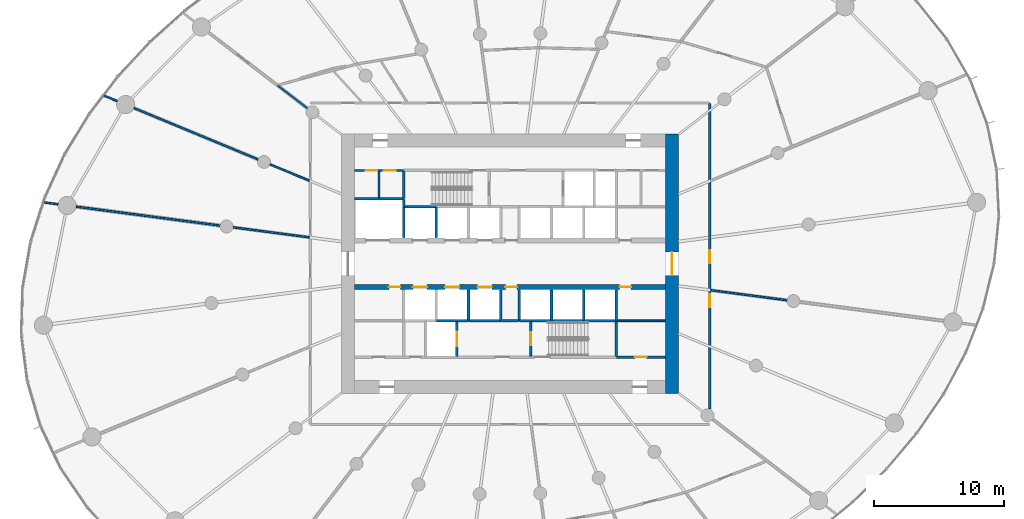
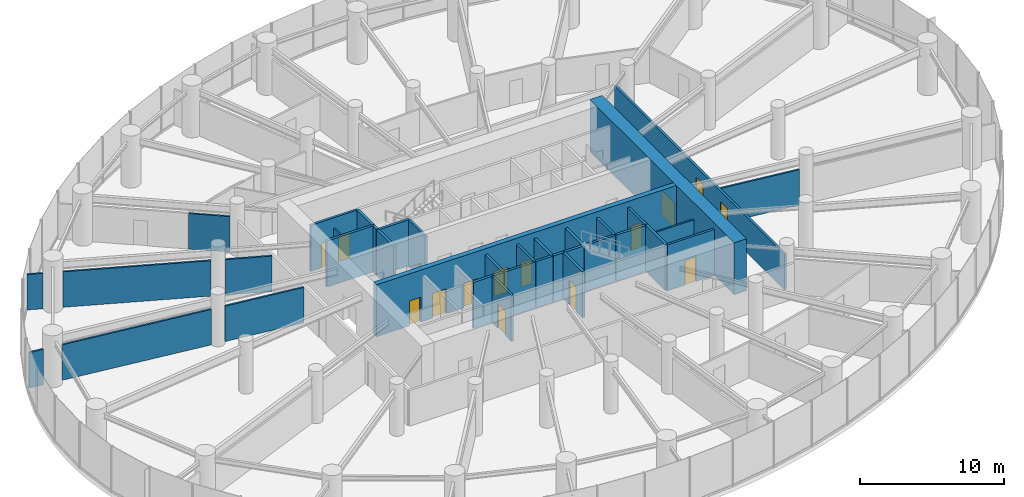
# One storey, part 12 of 18: 38 walls, 14 doors, 14 openings.
"""IFC4 building model written with IfcOpenShell, lengths in metres."""

from ifc_helpers import new_model, si_unit, direction, frame, frame_2d, origin, place, context, subcontext, project, spatial, rectangle, extrude, source, transform, mapped, material, layer, layer_set, type_object, element, fill, save


model = new_model("IFC4")

# Units and contexts
model_context = context("Model", 3, precision=1e-05, world=origin(), true_north=direction((0.0, 1.0)))
body_context = subcontext(model_context, "Body", "Model", "MODEL_VIEW")
ifc_project = project(units=[si_unit("LENGTHUNIT", "METRE"), si_unit("AREAUNIT", "SQUARE_METRE"), si_unit("VOLUMEUNIT", "CUBIC_METRE"), si_unit("PLANEANGLEUNIT", "RADIAN"), si_unit("MASSUNIT", "GRAM", prefix="KILO")], contexts=[model_context])

# Site, building, storey
site_placement = place(None, origin())
site = spatial("IfcSite", under=ifc_project, at=site_placement, CompositionType="ELEMENT")
building_placement = place(site_placement, origin())
building = spatial("IfcBuilding", under=site, at=building_placement, Name="Spindrift Exchange Tower", CompositionType="ELEMENT")
storey_placement = place(building_placement, frame((0.0, 0.0, 71.0)))
storey = spatial("IfcBuildingStorey", under=building, at=storey_placement, Name="L16", CompositionType="ELEMENT", Elevation=71.0)

# Wall, opening, door
ifc_material_1 = material(Name="Concrete 80 MPa", Category="concrete")
ifc_layer_1 = layer(ifc_material_1, 1.0)
ifc_layer_set_1 = layer_set([ifc_layer_1], Name="RC Core Wall 1000 Concrete 80 MPa")
wall_type_1 = type_object("IfcWallType", Name="RC Core Wall 1000 Concrete 80 MPa", PredefinedType="SHEAR", material=ifc_layer_set_1)
wall_1_placement = place(storey_placement, frame((64.5, 38.0, 0.0), z_axis=(0.0, 0.0, 1.0), x_axis=(0.0, 1.0, 0.0)))
wall_1 = element("IfcWall", 1, at=wall_1_placement, inside=storey, type_object=wall_type_1, Name="Core wall E L16", PredefinedType="SHEAR", context=body_context, shape_type="SweptSolid", body=[
    extrude(rectangle(XDim=20.0, YDim=1.0, at=frame_2d((10.0, 0.0))), origin(), (0.0, 0.0, 1.0), 4.39990234375),
])
opening_1_placement = place(wall_1_placement, frame((9.10009765625, 0.0, 0.0)))
opening_1 = element("IfcOpeningElement", 2, at=opening_1_placement, cuts=wall_1, Name="Opening L16-D2", PredefinedType="OPENING", context=body_context, shape_type="SweptSolid", body=[
    extrude(rectangle(XDim=1.800048828125, YDim=2.10009765625, at=frame_2d((0.89990234375, 1.050048828125))), frame((0.0, 0.510009765625, 0.0), z_axis=(0.0, -1.0, 0.0), x_axis=(1.0, 0.0, 0.0)), (0.0, 0.0, 1.0), 1.02001953125),
])
ifc_material_2 = material(Name="Timber-core fire door", Category="wood")
door_type_1 = type_object("IfcDoorType", Name="DR-LOBBY-1800", OperationType="NOTDEFINED", PredefinedType="DOOR", material=ifc_material_2)
shared_shape_1 = source(origin(), body_context, "Body", "SweptSolid", [
    extrude(rectangle(XDim=1.800048828125, YDim=2.10009765625, at=frame_2d((0.89990234375, 1.050048828125))), frame((0.0, 0.02490234375, 0.0), z_axis=(0.0, -1.0, 0.0), x_axis=(1.0, 0.0, 0.0)), (0.0, 0.0, 1.0), 0.050048828125),
])
door_1_placement = place(opening_1_placement, origin())
door_1 = element("IfcDoor", 3, at=door_1_placement, inside=storey, type_object=door_type_1, Name="L16 Lobby door 2", OperationType="SINGLE_SWING_RIGHT", OverallHeight=2.10009765625, OverallWidth=1.800048828125, PredefinedType="DOOR", context=body_context, shape_type="MappedRepresentation", body=[
    mapped(shared_shape_1, transform((0.0, 0.0, 0.0), scale=1.0)),
])
fill(opening_1, door_1)

# Wall, openings, doors
ifc_layer_2 = layer(ifc_material_1, 0.39990234375)
ifc_layer_set_2 = layer_set([ifc_layer_2], Name="RC Spine Wall 400 Concrete 80 MPa")
wall_type_2 = type_object("IfcWallType", Name="RC Spine Wall 400 Concrete 80 MPa", PredefinedType="SHEAR", material=ifc_layer_set_2)
wall_2_placement = place(storey_placement, frame((40.0, 46.199951171875, 0.0), z_axis=(0.0, 0.0, 1.0), x_axis=(1.0, 0.0, 0.0)))
wall_2 = element("IfcWall", 4, at=wall_2_placement, inside=storey, type_object=wall_type_2, Name="Core spine wall S L16", PredefinedType="SHEAR", context=body_context, shape_type="SweptSolid", body=[
    extrude(rectangle(XDim=24.0, YDim=0.39990234375, at=frame_2d((12.0, 0.0))), origin(), (0.0, 0.0, 1.0), 4.39990234375),
])
opening_2_placement = place(wall_2_placement, frame((4.5, 0.0, 0.0)))
opening_2 = element("IfcOpeningElement", 5, at=opening_2_placement, cuts=wall_2, Name="Opening L16-D6", PredefinedType="OPENING", context=body_context, shape_type="SweptSolid", body=[
    extrude(rectangle(XDim=1.10009765625, YDim=2.10009765625, at=frame_2d((0.550048828125, 1.050048828125))), frame((0.0, 0.2099609375, 0.0), z_axis=(0.0, -1.0, 0.0), x_axis=(1.0, 0.0, 0.0)), (0.0, 0.0, 1.0), 0.419921875),
])
opening_3_placement = place(wall_2_placement, frame((7.0, 0.0, 0.0)))
opening_3 = element("IfcOpeningElement", 6, at=opening_3_placement, cuts=wall_2, Name="Opening L16-D7", PredefinedType="OPENING", context=body_context, shape_type="SweptSolid", body=[
    extrude(rectangle(XDim=1.10009765625, YDim=2.10009765625, at=frame_2d((0.550048828125, 1.050048828125))), frame((0.0, 0.2099609375, 0.0), z_axis=(0.0, -1.0, 0.0), x_axis=(1.0, 0.0, 0.0)), (0.0, 0.0, 1.0), 0.419921875),
])
opening_4_placement = place(wall_2_placement, frame((9.5, 0.0, 0.0)))
opening_4 = element("IfcOpeningElement", 7, at=opening_4_placement, cuts=wall_2, Name="Opening L16-D8", PredefinedType="OPENING", context=body_context, shape_type="SweptSolid", body=[
    extrude(rectangle(XDim=1.10009765625, YDim=2.10009765625, at=frame_2d((0.550048828125, 1.050048828125))), frame((0.0, 0.2099609375, 0.0), z_axis=(0.0, -1.0, 0.0), x_axis=(1.0, 0.0, 0.0)), (0.0, 0.0, 1.0), 0.419921875),
])
opening_5_placement = place(wall_2_placement, frame((20.449951171875, 0.0, 0.0)))
opening_5 = element("IfcOpeningElement", 8, at=opening_5_placement, cuts=wall_2, Name="Opening L16-D50", PredefinedType="OPENING", context=body_context, shape_type="SweptSolid", body=[
    extrude(rectangle(XDim=0.89990234375, YDim=2.10009765625, at=frame_2d((0.449951171875, 1.050048828125))), frame((0.0, 0.2099609375, 0.0), z_axis=(0.0, -1.0, 0.0), x_axis=(1.0, 0.0, 0.0)), (0.0, 0.0, 1.0), 0.419921875),
])
opening_6_placement = place(wall_2_placement, frame((2.64990234375, 0.0, 0.0)))
opening_6 = element("IfcOpeningElement", 9, at=opening_6_placement, cuts=wall_2, Name="Opening L16-D55", PredefinedType="OPENING", context=body_context, shape_type="SweptSolid", body=[
    extrude(rectangle(XDim=0.89990234375, YDim=2.10009765625, at=frame_2d((0.449951171875, 1.050048828125))), frame((0.0, 0.2099609375, 0.0), z_axis=(0.0, -1.0, 0.0), x_axis=(1.0, 0.0, 0.0)), (0.0, 0.0, 1.0), 0.419921875),
])
opening_7_placement = place(wall_2_placement, frame((11.64990234375, 0.0, 0.0)))
opening_7 = element("IfcOpeningElement", 10, at=opening_7_placement, cuts=wall_2, Name="Opening L16-D57", PredefinedType="OPENING", context=body_context, shape_type="SweptSolid", body=[
    extrude(rectangle(XDim=0.89990234375, YDim=2.10009765625, at=frame_2d((0.449951171875, 1.050048828125))), frame((0.0, 0.2099609375, 0.0), z_axis=(0.0, -1.0, 0.0), x_axis=(1.0, 0.0, 0.0)), (0.0, 0.0, 1.0), 0.419921875),
])
ifc_material_3 = material(Name="Stainless steel landing door", Category="steel")
door_type_2 = type_object("IfcDoorType", Name="DR-LANDING-1100-SL", OperationType="DOUBLE_DOOR_SLIDING", PredefinedType="USERDEFINED", material=ifc_material_3)
shared_shape_2 = source(origin(), body_context, "Body", "SweptSolid", [
    extrude(rectangle(XDim=1.10009765625, YDim=2.10009765625, at=frame_2d((0.550048828125, 1.050048828125))), frame((0.0, 0.02490234375, 0.0), z_axis=(0.0, -1.0, 0.0), x_axis=(1.0, 0.0, 0.0)), (0.0, 0.0, 1.0), 0.050048828125),
])
door_2_placement = place(opening_2_placement, origin())
door_2 = element("IfcDoor", 11, at=door_2_placement, inside=storey, type_object=door_type_2, Name="L16 Lift landing door 6", ObjectType="LANDING DOOR", OperationType="DOUBLE_DOOR_SLIDING", OverallHeight=2.10009765625, OverallWidth=1.10009765625, PredefinedType="USERDEFINED", context=body_context, shape_type="MappedRepresentation", body=[
    mapped(shared_shape_2, transform((0.0, 0.0, 0.0), scale=1.0)),
])
fill(opening_2, door_2)
door_3_placement = place(opening_3_placement, origin())
door_3 = element("IfcDoor", 12, at=door_3_placement, inside=storey, type_object=door_type_2, Name="L16 Lift landing door 7", ObjectType="LANDING DOOR", OperationType="DOUBLE_DOOR_SLIDING", OverallHeight=2.10009765625, OverallWidth=1.10009765625, PredefinedType="USERDEFINED", context=body_context, shape_type="MappedRepresentation", body=[
    mapped(shared_shape_2, transform((0.0, 0.0, 0.0), scale=1.0)),
])
fill(opening_3, door_3)
door_4_placement = place(opening_4_placement, origin())
door_4 = element("IfcDoor", 13, at=door_4_placement, inside=storey, type_object=door_type_2, Name="L16 Lift landing door 8", ObjectType="LANDING DOOR", OperationType="DOUBLE_DOOR_SLIDING", OverallHeight=2.10009765625, OverallWidth=1.10009765625, PredefinedType="USERDEFINED", context=body_context, shape_type="MappedRepresentation", body=[
    mapped(shared_shape_2, transform((0.0, 0.0, 0.0), scale=1.0)),
])
fill(opening_4, door_4)
ifc_material_4 = material(Name="Steel access door", Category="steel")
door_type_3 = type_object("IfcDoorType", Name="DR-RISER-900", OperationType="NOTDEFINED", PredefinedType="DOOR", material=ifc_material_4)
shared_shape_3 = source(origin(), body_context, "Body", "SweptSolid", [
    extrude(rectangle(XDim=0.89990234375, YDim=2.10009765625, at=frame_2d((0.449951171875, 1.050048828125))), frame((0.0, 0.02490234375, 0.0), z_axis=(0.0, -1.0, 0.0), x_axis=(1.0, 0.0, 0.0)), (0.0, 0.0, 1.0), 0.050048828125),
])
door_5_placement = place(opening_5_placement, origin())
door_5 = element("IfcDoor", 14, at=door_5_placement, inside=storey, type_object=door_type_3, Name="L16 Riser door 50", OperationType="SINGLE_SWING_RIGHT", OverallHeight=2.10009765625, OverallWidth=0.89990234375, PredefinedType="DOOR", context=body_context, shape_type="MappedRepresentation", body=[
    mapped(shared_shape_3, transform((0.0, 0.0, 0.0), scale=1.0)),
])
fill(opening_5, door_5)
door_6_placement = place(opening_6_placement, origin())
door_6 = element("IfcDoor", 15, at=door_6_placement, inside=storey, type_object=door_type_3, Name="L16 Riser door 55", OperationType="SINGLE_SWING_LEFT", OverallHeight=2.10009765625, OverallWidth=0.89990234375, PredefinedType="DOOR", context=body_context, shape_type="MappedRepresentation", body=[
    mapped(shared_shape_3, transform((0.0, 0.0, 0.0), scale=1.0)),
])
fill(opening_6, door_6)
door_7_placement = place(opening_7_placement, origin())
door_7 = element("IfcDoor", 16, at=door_7_placement, inside=storey, type_object=door_type_3, Name="L16 Riser door 57", OperationType="SINGLE_SWING_LEFT", OverallHeight=2.10009765625, OverallWidth=0.89990234375, PredefinedType="DOOR", context=body_context, shape_type="MappedRepresentation", body=[
    mapped(shared_shape_3, transform((0.0, 0.0, 0.0), scale=1.0)),
])
fill(opening_7, door_7)

ifc_material_5 = material(Name="Fire-rated plasterboard partition", Category="gypsum")
ifc_layer_3 = layer(ifc_material_5, 0.179931640625)
ifc_layer_set_3 = layer_set([ifc_layer_3], Name="W-CORR-180")
wall_type_3 = type_object("IfcWallType", Name="W-CORR-180", PredefinedType="PARTITIONING", material=ifc_layer_set_3)
wall_3_placement = place(storey_placement, frame((43.77001953125, 55.199951171875, 0.0), z_axis=(0.0, 0.0, 1.0), x_axis=(-1.0, 0.0, 0.0)))
wall_3 = element("IfcWall", 17, at=wall_3_placement, inside=storey, type_object=wall_type_3, Name="L16 Partition wall 62", PredefinedType="PARTITIONING", context=body_context, shape_type="SweptSolid", body=[
    extrude(rectangle(XDim=3.75, YDim=0.179931640625, at=frame_2d((1.875, 0.0))), origin(), (0.0, 0.0, 1.0), 3.89990234375),
])
opening_8_placement = place(wall_3_placement, frame((2.0, 0.0, 0.0)))
opening_8 = element("IfcOpeningElement", 18, at=opening_8_placement, cuts=wall_3, Name="Opening L16-D47", PredefinedType="OPENING", context=body_context, shape_type="SweptSolid", body=[
    extrude(rectangle(XDim=0.89990234375, YDim=2.10009765625, at=frame_2d((0.449951171875, 1.050048828125))), frame((0.0, 0.099853515625, 0.0), z_axis=(0.0, -1.0, 0.0), x_axis=(1.0, 0.0, 0.0)), (0.0, 0.0, 1.0), 0.199951171875),
])
opening_9_placement = place(wall_3_placement, frame((0.60009765625, 0.0, 0.0)))
opening_9 = element("IfcOpeningElement", 19, at=opening_9_placement, cuts=wall_3, Name="Opening L16-D48", PredefinedType="OPENING", context=body_context, shape_type="SweptSolid", body=[
    extrude(rectangle(XDim=0.89990234375, YDim=2.10009765625, at=frame_2d((0.449951171875, 1.050048828125))), frame((0.0, 0.099853515625, 0.0), z_axis=(0.0, -1.0, 0.0), x_axis=(1.0, 0.0, 0.0)), (0.0, 0.0, 1.0), 0.199951171875),
])
door_8_placement = place(opening_8_placement, origin())
door_8 = element("IfcDoor", 20, at=door_8_placement, inside=storey, type_object=door_type_3, Name="L16 Riser door 47", OperationType="SINGLE_SWING_LEFT", OverallHeight=2.10009765625, OverallWidth=0.89990234375, PredefinedType="DOOR", context=body_context, shape_type="MappedRepresentation", body=[
    mapped(shared_shape_3, transform((0.0, 0.0, 0.0), scale=1.0)),
])
fill(opening_8, door_8)
door_9_placement = place(opening_9_placement, origin())
door_9 = element("IfcDoor", 21, at=door_9_placement, inside=storey, type_object=door_type_3, Name="L16 Riser door 48", OperationType="SINGLE_SWING_RIGHT", OverallHeight=2.10009765625, OverallWidth=0.89990234375, PredefinedType="DOOR", context=body_context, shape_type="MappedRepresentation", body=[
    mapped(shared_shape_3, transform((0.0, 0.0, 0.0), scale=1.0)),
])
fill(opening_9, door_9)

# Wall, opening, door
wall_4_placement = place(storey_placement, frame((60.22998046875, 40.800048828125, 0.0), z_axis=(0.0, 0.0, 1.0), x_axis=(1.0, 0.0, 0.0)))
wall_4 = element("IfcWall", 22, at=wall_4_placement, inside=storey, type_object=wall_type_3, Name="L16 Partition wall 63", PredefinedType="PARTITIONING", context=body_context, shape_type="SweptSolid", body=[
    extrude(rectangle(XDim=3.75, YDim=0.179931640625, at=frame_2d((1.875, 0.0))), origin(), (0.0, 0.0, 1.0), 3.89990234375),
])
opening_10_placement = place(wall_4_placement, frame((1.39990234375, 0.0, 0.0)))
opening_10 = element("IfcOpeningElement", 23, at=opening_10_placement, cuts=wall_4, Name="Opening L16-D54", PredefinedType="OPENING", context=body_context, shape_type="SweptSolid", body=[
    extrude(rectangle(XDim=0.89990234375, YDim=2.10009765625, at=frame_2d((0.449951171875, 1.050048828125))), frame((0.0, 0.099853515625, 0.0), z_axis=(0.0, -1.0, 0.0), x_axis=(1.0, 0.0, 0.0)), (0.0, 0.0, 1.0), 0.199951171875),
])
door_10_placement = place(opening_10_placement, origin())
door_10 = element("IfcDoor", 24, at=door_10_placement, inside=storey, type_object=door_type_3, Name="L16 Riser door 54", OperationType="SINGLE_SWING_RIGHT", OverallHeight=2.10009765625, OverallWidth=0.89990234375, PredefinedType="DOOR", context=body_context, shape_type="MappedRepresentation", body=[
    mapped(shared_shape_3, transform((0.0, 0.0, 0.0), scale=1.0)),
])
fill(opening_10, door_10)

# Walls
ifc_layer_4 = layer(ifc_material_5, 0.139892578125)
ifc_layer_set_4 = layer_set([ifc_layer_4], Name="W-PART-140")
wall_type_4 = type_object("IfcWallType", Name="W-PART-140", PredefinedType="PARTITIONING", material=ifc_layer_set_4)
wall_5_placement = place(storey_placement, frame((29.63671875, 50.944091796875, 0.0), z_axis=(0.0, 0.0, 1.0), x_axis=(-0.991443306772, 0.130538000051, 0.0)))
element("IfcWall", 25, at=wall_5_placement, inside=storey, type_object=wall_type_4, Name="L16 Partition wall 67", PredefinedType="PARTITIONING", context=body_context, shape_type="SweptSolid", body=[
    extrude(rectangle(XDim=11.1953125, YDim=0.139892578125, at=frame_2d((5.59765625, 0.0))), origin(), (0.0, 0.0, 1.0), 3.0),
])
for number, where, z_axis, x_axis, name in (
    (26, (67.489990234375, 45.960693359375, 0.0), (0.0, 0.0, 1.0), (0.991445034615, -0.130524876315, 0.0), "L16 Partition wall 83"),
    (27, (36.510009765625, 50.039306640625, 0.0), (0.0, 0.0, 1.0), (-0.991445034615, 0.130524876315, 0.0), "L16 Partition wall 84"),
):
    element("IfcWall", number, at=place(storey_placement, frame(where, z_axis=z_axis, x_axis=x_axis)), inside=storey, type_object=wall_type_4, Name=name, PredefinedType="PARTITIONING", context=body_context, shape_type="SweptSolid", body=[
        extrude(rectangle(XDim=5.923828125, YDim=0.139892578125, at=frame_2d((2.9619140625, 0.0))), origin(), (0.0, 0.0, 1.0), 3.0),
    ])
wall_6_placement = place(storey_placement, frame((60.22998046875, 43.60009765625, 0.0), z_axis=(0.0, 0.0, 1.0), x_axis=(1.0, 0.0, 0.0)))
element("IfcWall", 28, at=wall_6_placement, inside=storey, type_object=wall_type_4, Name="L16 Partition wall 101", PredefinedType="PARTITIONING", context=body_context, shape_type="SweptSolid", body=[
    extrude(rectangle(XDim=3.75, YDim=0.139892578125, at=frame_2d((1.875, 0.0))), origin(), (0.0, 0.0, 1.0), 3.0),
])
wall_7_placement = place(storey_placement, frame((41.89990234375, 53.10009765625, 0.0), z_axis=(0.0, 0.0, 1.0), x_axis=(0.0, 1.0, 0.0)))
element("IfcWall", 29, at=wall_7_placement, inside=storey, type_object=wall_type_4, Name="L16 Partition wall 113", PredefinedType="PARTITIONING", context=body_context, shape_type="SweptSolid", body=[
    extrude(rectangle(XDim=2.010009765625, YDim=0.139892578125, at=frame_2d((1.0048828125, 0.0))), origin(), (0.0, 0.0, 1.0), 3.0),
])
wall_8_placement = place(storey_placement, frame((17.140625, 52.58935546875, 0.0), z_axis=(0.0, 0.0, 1.0), x_axis=(-0.991441129852, 0.130554532814, 0.0)))
element("IfcWall", 30, at=wall_8_placement, inside=storey, type_object=wall_type_4, Name="L16 Partition wall 117", PredefinedType="PARTITIONING", context=body_context, shape_type="SweptSolid", body=[
    extrude(rectangle(XDim=1.073486328125, YDim=0.139892578125, at=frame_2d((0.53662109375, 0.0))), origin(), (0.0, 0.0, 1.0), 3.0),
])
ifc_layer_5 = layer(ifc_material_5, 0.139892578125)
ifc_layer_set_5 = layer_set([ifc_layer_5], Name="W-PLANT-140")
wall_type_5 = type_object("IfcWallType", Name="W-PLANT-140", PredefinedType="PARTITIONING", material=ifc_layer_set_5)
wall_9_placement = place(storey_placement, frame((32.560791015625, 56.052001953125, 0.0), z_axis=(0.0, 0.0, 1.0), x_axis=(-0.923874685699, 0.382695133396, 0.0)))
element("IfcWall", 31, at=wall_9_placement, inside=storey, type_object=wall_type_5, Name="L16 Partition wall 69", PredefinedType="PARTITIONING", context=body_context, shape_type="SweptSolid", body=[
    extrude(rectangle(XDim=10.341064453125, YDim=0.139892578125, at=frame_2d((5.17041015625, 0.0))), origin(), (0.0, 0.0, 1.0), 3.0),
])
wall_10_placement = place(storey_placement, frame((36.510009765625, 54.416259765625, 0.0), z_axis=(0.0, 0.0, 1.0), x_axis=(-0.923911109142, 0.382607190737, 0.0)))
element("IfcWall", 32, at=wall_10_placement, inside=storey, type_object=wall_type_5, Name="L16 Partition wall 103", PredefinedType="PARTITIONING", context=body_context, shape_type="SweptSolid", body=[
    extrude(rectangle(XDim=3.264404296875, YDim=0.139892578125, at=frame_2d((1.63232421875, 0.0))), origin(), (0.0, 0.0, 1.0), 3.0),
])
wall_11_placement = place(storey_placement, frame((36.367431640625, 59.995361328125, 0.0), z_axis=(0.0, 0.0, 1.0), x_axis=(-0.793375175499, 0.608732971755, 0.0)))
element("IfcWall", 33, at=wall_11_placement, inside=storey, type_object=wall_type_5, Name="L16 Partition wall 108", PredefinedType="PARTITIONING", context=body_context, shape_type="SweptSolid", body=[
    extrude(rectangle(XDim=2.873291015625, YDim=0.139892578125, at=frame_2d((1.4365234375, 0.0))), origin(), (0.0, 0.0, 1.0), 3.0),
])
wall_12_placement = place(storey_placement, frame((21.7041015625, 60.549072265625, 0.0), z_axis=(0.0, 0.0, 1.0), x_axis=(-0.923891962865, 0.382653421457, 0.0)))
element("IfcWall", 34, at=wall_12_placement, inside=storey, type_object=wall_type_5, Name="L16 Partition wall 116", PredefinedType="PARTITIONING", context=body_context, shape_type="SweptSolid", body=[
    extrude(rectangle(XDim=1.09619140625, YDim=0.139892578125, at=frame_2d((0.548095703125, 0.0))), origin(), (0.0, 0.0, 1.0), 3.0),
])

# Wall, openings, doors
ifc_layer_6 = layer(ifc_material_5, 0.179931640625)
ifc_layer_set_6 = layer_set([ifc_layer_6], Name="W-PLANT-180")
wall_type_6 = type_object("IfcWallType", Name="W-PLANT-180", PredefinedType="PARTITIONING", material=ifc_layer_set_6)
wall_13_placement = place(storey_placement, frame((67.39990234375, 60.3701171875, 0.0), z_axis=(0.0, 0.0, 1.0), x_axis=(0.0, -1.0, 0.0)))
wall_13 = element("IfcWall", 35, at=wall_13_placement, inside=storey, type_object=wall_type_6, Name="L16 Partition wall 59", PredefinedType="PARTITIONING", context=body_context, shape_type="SweptSolid", body=[
    extrude(rectangle(XDim=23.58251953125, YDim=0.179931640625, at=frame_2d((11.791259765625, 0.0))), origin(), (0.0, 0.0, 1.0), 3.0),
])
opening_11_placement = place(wall_13_placement, frame((14.732421875, 0.0, 0.0)))
opening_11 = element("IfcOpeningElement", 36, at=opening_11_placement, cuts=wall_13, Name="Opening L16-D37", PredefinedType="OPENING", context=body_context, shape_type="SweptSolid", body=[
    extrude(rectangle(XDim=1.0, YDim=2.10009765625, at=frame_2d((0.5, 1.050048828125))), frame((0.0, 0.099853515625, 0.0), z_axis=(0.0, -1.0, 0.0), x_axis=(1.0, 0.0, 0.0)), (0.0, 0.0, 1.0), 0.199951171875),
])
opening_12_placement = place(wall_13_placement, frame((11.33251953125, 0.0, 0.0)))
opening_12 = element("IfcOpeningElement", 37, at=opening_12_placement, cuts=wall_13, Name="Opening L16-D38", PredefinedType="OPENING", context=body_context, shape_type="SweptSolid", body=[
    extrude(rectangle(XDim=1.0, YDim=2.10009765625, at=frame_2d((0.5, 1.050048828125))), frame((0.0, 0.099853515625, 0.0), z_axis=(0.0, -1.0, 0.0), x_axis=(1.0, 0.0, 0.0)), (0.0, 0.0, 1.0), 0.199951171875),
])
door_type_4 = type_object("IfcDoorType", Name="DR-ROOM-1000", OperationType="NOTDEFINED", PredefinedType="DOOR", material=ifc_material_2)
shared_shape_4 = source(origin(), body_context, "Body", "SweptSolid", [
    extrude(rectangle(XDim=1.0, YDim=2.10009765625, at=frame_2d((0.5, 1.050048828125))), frame((0.0, 0.02490234375, 0.0), z_axis=(0.0, -1.0, 0.0), x_axis=(1.0, 0.0, 0.0)), (0.0, 0.0, 1.0), 0.050048828125),
])
door_11_placement = place(opening_11_placement, origin())
door_11 = element("IfcDoor", 38, at=door_11_placement, inside=storey, type_object=door_type_4, Name="L16 Door 37", OperationType="SINGLE_SWING_LEFT", OverallHeight=2.10009765625, OverallWidth=1.0, PredefinedType="DOOR", context=body_context, shape_type="MappedRepresentation", body=[
    mapped(shared_shape_4, transform((0.0, 0.0, 0.0), scale=1.0)),
])
fill(opening_11, door_11)
door_12_placement = place(opening_12_placement, origin())
door_12 = element("IfcDoor", 39, at=door_12_placement, inside=storey, type_object=door_type_4, Name="L16 Door 38", OperationType="SINGLE_SWING_RIGHT", OverallHeight=2.10009765625, OverallWidth=1.0, PredefinedType="DOOR", context=body_context, shape_type="MappedRepresentation", body=[
    mapped(shared_shape_4, transform((0.0, 0.0, 0.0), scale=1.0)),
])
fill(opening_12, door_12)

# Wall, opening, door
ifc_material_6 = material(Name="Concrete 40 MPa", Category="concrete")
ifc_layer_7 = layer(ifc_material_6, 0.199951171875)
ifc_layer_set_7 = layer_set([ifc_layer_7], Name="W-SHAFT-200")
wall_type_7 = type_object("IfcWallType", Name="W-SHAFT-200", PredefinedType="SOLIDWALL", material=ifc_layer_set_7)
wall_14_placement = place(storey_placement, frame((47.89990234375, 40.830078125, 0.0), z_axis=(0.0, 0.0, 1.0), x_axis=(0.0, 1.0, 0.0)))
wall_14 = element("IfcWall", 40, at=wall_14_placement, inside=storey, type_object=wall_type_7, Name="L16 Shaft wall 8", PredefinedType="SOLIDWALL", context=body_context, shape_type="SweptSolid", body=[
    extrude(rectangle(XDim=2.77001953125, YDim=0.199951171875, at=frame_2d((1.385009765625, 0.0))), origin(), (0.0, 0.0, 1.0), 3.89990234375),
])
opening_13_placement = place(wall_14_placement, frame((0.820068359375, 0.0, 0.0)))
opening_13 = element("IfcOpeningElement", 41, at=opening_13_placement, cuts=wall_14, Name="Opening L16-D10", PredefinedType="OPENING", context=body_context, shape_type="SweptSolid", body=[
    extrude(rectangle(XDim=1.10009765625, YDim=2.10009765625, at=frame_2d((0.550048828125, 1.050048828125))), frame((0.0, 0.10986328125, 0.0), z_axis=(0.0, -1.0, 0.0), x_axis=(1.0, 0.0, 0.0)), (0.0, 0.0, 1.0), 0.219970703125),
])
door_13_placement = place(opening_13_placement, origin())
door_13 = element("IfcDoor", 42, at=door_13_placement, inside=storey, type_object=door_type_2, Name="L16 Lift landing door 10", ObjectType="LANDING DOOR", OperationType="DOUBLE_DOOR_SLIDING", OverallHeight=2.10009765625, OverallWidth=1.10009765625, PredefinedType="USERDEFINED", context=body_context, shape_type="MappedRepresentation", body=[
    mapped(shared_shape_2, transform((0.0, 0.0, 0.0), scale=1.0)),
])
fill(opening_13, door_13)

# Walls
wall_15_placement = place(storey_placement, frame((48.800048828125, 43.60009765625, 0.0), z_axis=(0.0, 0.0, 1.0), x_axis=(1.0, 0.0, 0.0)))
element("IfcWall", 43, at=wall_15_placement, inside=storey, type_object=wall_type_7, Name="L16 Shaft wall 17", PredefinedType="SOLIDWALL", context=body_context, shape_type="SweptSolid", body=[
    extrude(rectangle(XDim=2.5, YDim=0.199951171875, at=frame_2d((1.25, 0.0))), origin(), (0.0, 0.0, 1.0), 3.89990234375),
])
for number, where, z_axis, x_axis, name in (
    (44, (48.800048828125, 43.6298828125, 0.0), (0.0, 0.0, 1.0), (0.0, 1.0, 0.0), "L16 Shaft wall 27"),
    (45, (51.300048828125, 43.6298828125, 0.0), (0.0, 0.0, 1.0), (0.0, 1.0, 0.0), "L16 Shaft wall 29"),
):
    element("IfcWall", number, at=place(storey_placement, frame(where, z_axis=z_axis, x_axis=x_axis)), inside=storey, type_object=wall_type_7, Name=name, PredefinedType="SOLIDWALL", context=body_context, shape_type="SweptSolid", body=[
        extrude(rectangle(XDim=2.360107421875, YDim=0.199951171875, at=frame_2d((1.18017578125, 0.0))), origin(), (0.0, 0.0, 1.0), 3.89990234375),
    ])
wall_16_placement = place(storey_placement, frame((52.699951171875, 45.989990234375, 0.0), z_axis=(0.0, 0.0, 1.0), x_axis=(0.0, -1.0, 0.0)))
element("IfcWall", 46, at=wall_16_placement, inside=storey, type_object=wall_type_7, Name="L16 Shaft wall 31", PredefinedType="SOLIDWALL", context=body_context, shape_type="SweptSolid", body=[
    extrude(rectangle(XDim=2.389892578125, YDim=0.199951171875, at=frame_2d((1.19482421875, 0.0))), origin(), (0.0, 0.0, 1.0), 3.89990234375),
])
wall_17_placement = place(storey_placement, frame((46.330078125, 43.60009765625, 0.0), z_axis=(0.0, 0.0, 1.0), x_axis=(1.0, 0.0, 0.0)))
element("IfcWall", 47, at=wall_17_placement, inside=storey, type_object=wall_type_7, Name="L16 Shaft wall 44", PredefinedType="SOLIDWALL", context=body_context, shape_type="SweptSolid", body=[
    extrude(rectangle(XDim=1.5400390625, YDim=0.199951171875, at=frame_2d((0.77001953125, 0.0))), origin(), (0.0, 0.0, 1.0), 3.89990234375),
])
wall_18_placement = place(storey_placement, frame((52.669921875, 43.60009765625, 0.0), z_axis=(0.0, 0.0, 1.0), x_axis=(-1.0, 0.0, 0.0)))
element("IfcWall", 48, at=wall_18_placement, inside=storey, type_object=wall_type_7, Name="L16 Shaft wall 48", PredefinedType="SOLIDWALL", context=body_context, shape_type="SweptSolid", body=[
    extrude(rectangle(XDim=1.33984375, YDim=0.199951171875, at=frame_2d((0.669921875, 0.0))), origin(), (0.0, 0.0, 1.0), 3.89990234375),
])
wall_19_placement = place(storey_placement, frame((47.929931640625, 43.60009765625, 0.0), z_axis=(0.0, 0.0, 1.0), x_axis=(1.0, 0.0, 0.0)))
element("IfcWall", 49, at=wall_19_placement, inside=storey, type_object=wall_type_7, Name="L16 Shaft wall 50", PredefinedType="SOLIDWALL", context=body_context, shape_type="SweptSolid", body=[
    extrude(rectangle(XDim=0.840087890625, YDim=0.199951171875, at=frame_2d((0.419921875, 0.0))), origin(), (0.0, 0.0, 1.0), 3.89990234375),
])
ifc_layer_8 = layer(ifc_material_6, 0.199951171875)
ifc_layer_set_8 = layer_set([ifc_layer_8], Name="W-SHAFT-200-LB")
wall_type_8 = type_object("IfcWallType", Name="W-SHAFT-200-LB", PredefinedType="SOLIDWALL", material=ifc_layer_set_8)
wall_20_placement = place(storey_placement, frame((43.800048828125, 53.0, 0.0), z_axis=(0.0, 0.0, 1.0), x_axis=(-1.0, 0.0, 0.0)))
element("IfcWall", 50, at=wall_20_placement, inside=storey, type_object=wall_type_8, Name="L16 Shaft wall 5", PredefinedType="SOLIDWALL", context=body_context, shape_type="SweptSolid", body=[
    extrude(rectangle(XDim=3.780029296875, YDim=0.199951171875, at=frame_2d((1.89013671875, 0.0))), origin(), (0.0, 0.0, 1.0), 3.89990234375),
])
wall_21_placement = place(storey_placement, frame((60.199951171875, 40.830078125, 0.0), z_axis=(0.0, 0.0, 1.0), x_axis=(0.0, 1.0, 0.0)))
element("IfcWall", 51, at=wall_21_placement, inside=storey, type_object=wall_type_8, Name="L16 Shaft wall 10", PredefinedType="SOLIDWALL", context=body_context, shape_type="SweptSolid", body=[
    extrude(rectangle(XDim=2.77001953125, YDim=0.199951171875, at=frame_2d((1.385009765625, 0.0))), origin(), (0.0, 0.0, 1.0), 3.89990234375),
])

# Wall, opening, door
wall_22_placement = place(storey_placement, frame((53.60009765625, 43.60009765625, 0.0), z_axis=(0.0, 0.0, 1.0), x_axis=(0.0, -1.0, 0.0)))
wall_22 = element("IfcWall", 52, at=wall_22_placement, inside=storey, type_object=wall_type_8, Name="L16 Shaft wall 11", PredefinedType="SOLIDWALL", context=body_context, shape_type="SweptSolid", body=[
    extrude(rectangle(XDim=2.77001953125, YDim=0.199951171875, at=frame_2d((1.385009765625, 0.0))), origin(), (0.0, 0.0, 1.0), 3.89990234375),
])
opening_14_placement = place(wall_22_placement, frame((0.89990234375, 0.0, 0.0)))
opening_14 = element("IfcOpeningElement", 53, at=opening_14_placement, cuts=wall_22, Name="Opening L16-D17", PredefinedType="OPENING", context=body_context, shape_type="SweptSolid", body=[
    extrude(rectangle(XDim=1.0, YDim=2.10009765625, at=frame_2d((0.5, 1.050048828125))), frame((0.0, 0.10986328125, 0.0), z_axis=(0.0, -1.0, 0.0), x_axis=(1.0, 0.0, 0.0)), (0.0, 0.0, 1.0), 0.219970703125),
])
ifc_material_7 = material(Name="Steel fire door", Category="steel")
door_type_5 = type_object("IfcDoorType", Name="DR-STAIR-1000", OperationType="NOTDEFINED", PredefinedType="DOOR", material=ifc_material_7)
shared_shape_5 = source(origin(), body_context, "Body", "SweptSolid", [
    extrude(rectangle(XDim=1.0, YDim=2.10009765625, at=frame_2d((0.5, 1.050048828125))), frame((0.0, 0.02490234375, 0.0), z_axis=(0.0, -1.0, 0.0), x_axis=(1.0, 0.0, 0.0)), (0.0, 0.0, 1.0), 0.050048828125),
])
door_14_placement = place(opening_14_placement, origin())
door_14 = element("IfcDoor", 54, at=door_14_placement, inside=storey, type_object=door_type_5, Name="L16 Stair door 17", OperationType="SINGLE_SWING_LEFT", OverallHeight=2.10009765625, OverallWidth=1.0, PredefinedType="DOOR", context=body_context, shape_type="MappedRepresentation", body=[
    mapped(shared_shape_5, transform((0.0, 0.0, 0.0), scale=1.0)),
])
fill(opening_14, door_14)

# Walls
for number, where, z_axis, x_axis, name in (
    (55, (46.300048828125, 52.39990234375, 0.0), (0.0, 0.0, 1.0), (-1.0, 0.0, 0.0), "L16 Shaft wall 15"),
    (56, (55.199951171875, 43.60009765625, 0.0), (0.0, 0.0, 1.0), (1.0, 0.0, 0.0), "L16 Shaft wall 19"),
):
    element("IfcWall", number, at=place(storey_placement, frame(where, z_axis=z_axis, x_axis=x_axis)), inside=storey, type_object=wall_type_8, Name=name, PredefinedType="SOLIDWALL", context=body_context, shape_type="SweptSolid", body=[
        extrude(rectangle(XDim=2.5, YDim=0.199951171875, at=frame_2d((1.25, 0.0))), origin(), (0.0, 0.0, 1.0), 3.89990234375),
    ])
wall_23_placement = place(storey_placement, frame((57.72998046875, 43.60009765625, 0.0), z_axis=(0.0, 0.0, 1.0), x_axis=(1.0, 0.0, 0.0)))
element("IfcWall", 57, at=wall_23_placement, inside=storey, type_object=wall_type_8, Name="L16 Shaft wall 20", PredefinedType="SOLIDWALL", context=body_context, shape_type="SweptSolid", body=[
    extrude(rectangle(XDim=2.43994140625, YDim=0.199951171875, at=frame_2d((1.219970703125, 0.0))), origin(), (0.0, 0.0, 1.0), 3.89990234375),
])
for number, where, z_axis, x_axis, name in (
    (58, (43.800048828125, 52.3701171875, 0.0), (0.0, 0.0, 1.0), (0.0, -1.0, 0.0), "L16 Shaft wall 24"),
    (59, (46.300048828125, 50.010009765625, 0.0), (0.0, 0.0, 1.0), (0.0, 1.0, 0.0), "L16 Shaft wall 26"),
    (60, (55.199951171875, 43.6298828125, 0.0), (0.0, 0.0, 1.0), (0.0, 1.0, 0.0), "L16 Shaft wall 33"),
    (61, (57.699951171875, 43.6298828125, 0.0), (0.0, 0.0, 1.0), (0.0, 1.0, 0.0), "L16 Shaft wall 35"),
    (62, (60.199951171875, 43.6298828125, 0.0), (0.0, 0.0, 1.0), (0.0, 1.0, 0.0), "L16 Shaft wall 37"),
):
    element("IfcWall", number, at=place(storey_placement, frame(where, z_axis=z_axis, x_axis=x_axis)), inside=storey, type_object=wall_type_8, Name=name, PredefinedType="SOLIDWALL", context=body_context, shape_type="SweptSolid", body=[
        extrude(rectangle(XDim=2.360107421875, YDim=0.199951171875, at=frame_2d((1.18017578125, 0.0))), origin(), (0.0, 0.0, 1.0), 3.89990234375),
    ])
wall_24_placement = place(storey_placement, frame((43.800048828125, 55.169921875, 0.0), z_axis=(0.0, 0.0, 1.0), x_axis=(0.0, -1.0, 0.0)))
element("IfcWall", 63, at=wall_24_placement, inside=storey, type_object=wall_type_8, Name="L16 Shaft wall 39", PredefinedType="SOLIDWALL", context=body_context, shape_type="SweptSolid", body=[
    extrude(rectangle(XDim=2.139892578125, YDim=0.199951171875, at=frame_2d((1.06982421875, 0.0))), origin(), (0.0, 0.0, 1.0), 3.89990234375),
])
wall_25_placement = place(storey_placement, frame((53.6298828125, 43.60009765625, 0.0), z_axis=(0.0, 0.0, 1.0), x_axis=(1.0, 0.0, 0.0)))
element("IfcWall", 64, at=wall_25_placement, inside=storey, type_object=wall_type_8, Name="L16 Shaft wall 46", PredefinedType="SOLIDWALL", context=body_context, shape_type="SweptSolid", body=[
    extrude(rectangle(XDim=1.5400390625, YDim=0.199951171875, at=frame_2d((0.77001953125, 0.0))), origin(), (0.0, 0.0, 1.0), 3.89990234375),
])
wall_26_placement = place(storey_placement, frame((52.72998046875, 43.60009765625, 0.0), z_axis=(0.0, 0.0, 1.0), x_axis=(1.0, 0.0, 0.0)))
element("IfcWall", 65, at=wall_26_placement, inside=storey, type_object=wall_type_8, Name="L16 Shaft wall 52", PredefinedType="SOLIDWALL", context=body_context, shape_type="SweptSolid", body=[
    extrude(rectangle(XDim=0.840087890625, YDim=0.199951171875, at=frame_2d((0.419921875, 0.0))), origin(), (0.0, 0.0, 1.0), 3.89990234375),
])
wall_27_placement = place(storey_placement, frame((43.800048828125, 52.429931640625, 0.0), z_axis=(0.0, 0.0, 1.0), x_axis=(0.0, 1.0, 0.0)))
element("IfcWall", 66, at=wall_27_placement, inside=storey, type_object=wall_type_8, Name="L16 Shaft wall 56", PredefinedType="SOLIDWALL", context=body_context, shape_type="SweptSolid", body=[
    extrude(rectangle(XDim=0.5400390625, YDim=0.199951171875, at=frame_2d((0.27001953125, 0.0))), origin(), (0.0, 0.0, 1.0), 3.89990234375),
])

save(model, "model.ifc")
